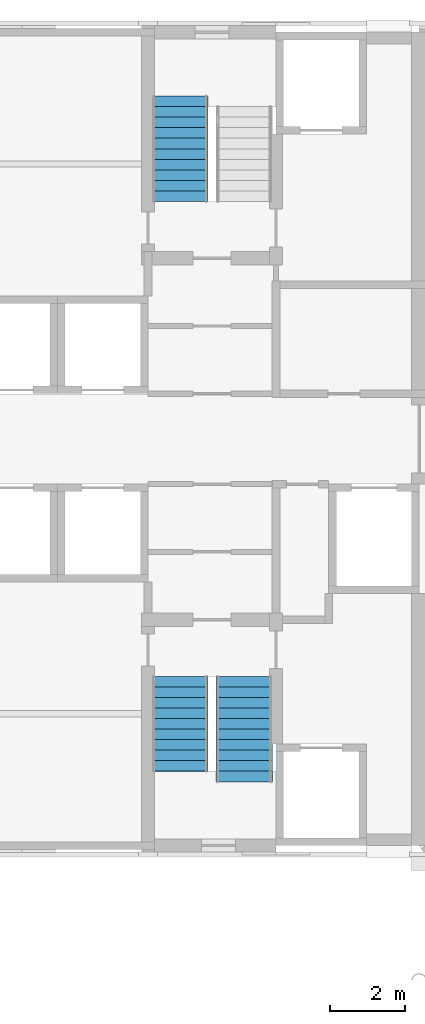
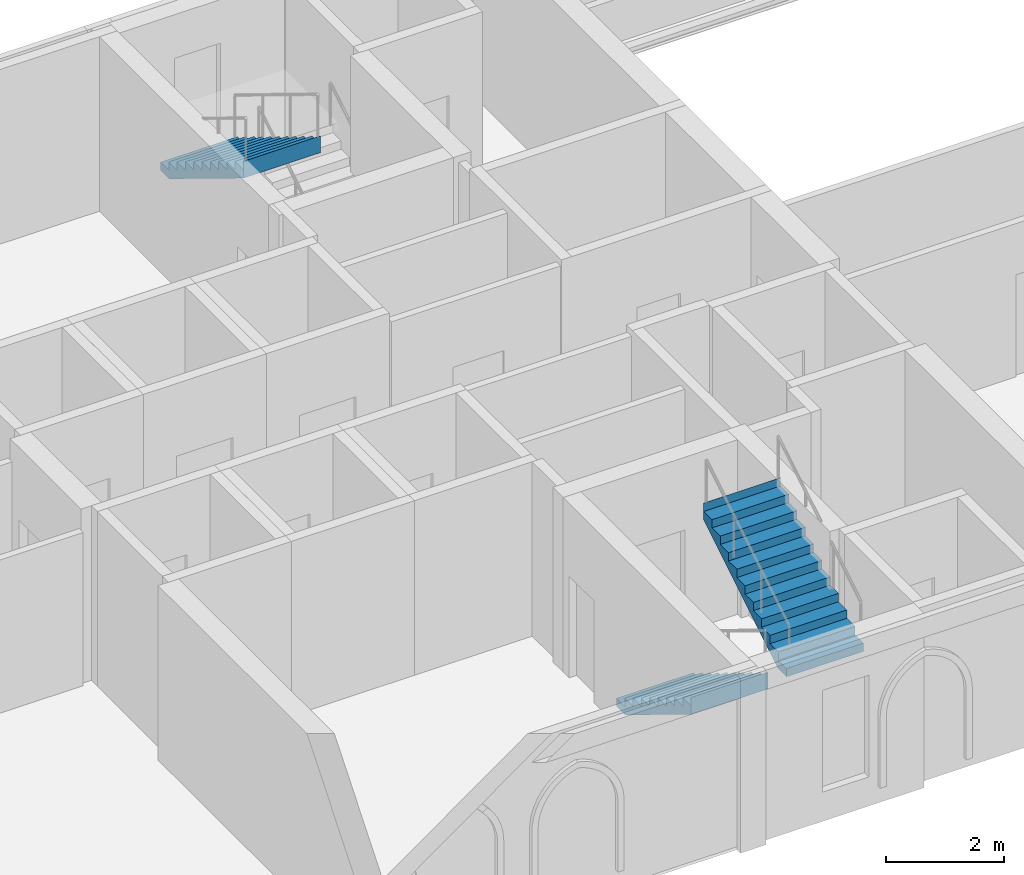
# One storey, part 67 of 120: 3 stair flights, 2 elements without a shape of their own.
"""IFC4 building model written with IfcOpenShell, lengths in metres."""

from ifc_helpers import new_model, si_unit, direction, frame, origin, place, context, subcontext, project, spatial, polyline, outline, extrude, material, type_object, element, aggregate, save


model = new_model("IFC4")

# Units and contexts
model_context = context("Model", 3, precision=1e-05, world=origin(), true_north=direction((0.0, 1.0)))
body_context = subcontext(model_context, "Body", "Model", "MODEL_VIEW")
ifc_project = project(units=[si_unit("LENGTHUNIT", "METRE"), si_unit("AREAUNIT", "SQUARE_METRE"), si_unit("VOLUMEUNIT", "CUBIC_METRE"), si_unit("PLANEANGLEUNIT", "RADIAN"), si_unit("MASSUNIT", "GRAM", prefix="KILO")], contexts=[model_context])

# Site, building, storey
site_placement = place(None, origin())
site = spatial("IfcSite", under=ifc_project, at=site_placement, CompositionType="ELEMENT")
building_placement = place(site_placement, origin())
building = spatial("IfcBuilding", under=site, at=building_placement, Name="Kupolbacken Congress Centre", CompositionType="ELEMENT")
storey_placement = place(building_placement, frame((0.0, 0.0, 21.60009765625)))
storey = spatial("IfcBuildingStorey", under=building, at=storey_placement, Name="L06", CompositionType="ELEMENT", Elevation=21.60009765625)

# Stair, stair flights
ifc_material_1 = material(Name="Steel S355", Category="steel")
stair_type = type_object("IfcStairType", Name="ST2 stair 1500", PredefinedType="TWO_STRAIGHT_RUN_STAIR", material=ifc_material_1)
stair_1_placement = place(storey_placement, origin())
stair_1 = element("IfcStair", 1, at=stair_1_placement, inside=storey, type_object=stair_type, Name="C/stair/TS1/L06", PredefinedType="NOTDEFINED")
ifc_material_2 = material(Name="Steel S355", Category="steel")
stair_flight_type_1 = type_object("IfcStairFlightType", Name="FL3 stair flight 1500 x 10 risers", PredefinedType="STRAIGHT", material=ifc_material_2)
stair_flight_1_placement = place(storey_placement, frame((101.64990234375, 126.89501953125, 0.0), z_axis=(0.0, 0.0, 1.0), x_axis=(0.0, -1.0, 0.0)))
stair_flight_1 = element("IfcStairFlight", 2, at=stair_flight_1_placement, type_object=stair_flight_type_1, Name="TS1 flight 1", NumberOfRisers=10, NumberOfTreads=9, PredefinedType="STRAIGHT", RiserHeight=0.171428571, TreadLength=0.28, context=body_context, shape_type="SweptSolid", body=[
    extrude(outline(polyline([(0.0, 0.0), (0.0, 0.0009765625), (0.0, 0.002197265625), (0.0, 0.003173828125), (0.0, 0.004150390625), (0.0, 0.00537109375), (0.0, 0.00634765625), (0.0, 0.007568359375), (0.0, 0.008544921875), (0.0, 0.009521484375), (0.0, 0.0107421875), (0.0, 0.01171875), (0.0, 0.0126953125), (0.0, 0.013916015625), (0.0, 0.014892578125), (0.0, 0.015869140625), (0.0, 0.01708984375), (0.0, 0.01806640625), (0.0, 0.019287109375), (0.0, 0.020263671875), (0.0, 0.021240234375), (0.0, 0.0224609375), (0.0, 0.0234375), (0.0, 0.0244140625), (0.0, 0.025634765625), (0.0, 0.026611328125), (0.0, 0.027587890625), (0.0, 0.02880859375), (0.0, 0.02978515625), (0.0, 0.03076171875), (0.0, 0.031982421875), (0.0, 0.032958984375), (0.0, 0.0341796875), (0.0, 0.03515625), (0.0, 0.0361328125), (0.0, 0.037353515625), (0.0, 0.038330078125), (0.0, 0.039306640625), (0.0, 0.04052734375), (0.0, 0.04150390625), (0.0, 0.04248046875), (0.0, 0.043701171875), (0.0, 0.044677734375), (0.0, 0.0458984375), (0.0, 0.046875), (0.0, 0.0478515625), (0.0, 0.049072265625), (0.0, 0.050048828125), (0.0, 0.051025390625), (0.0, 0.05224609375), (0.0, 0.05322265625), (0.0, 0.05419921875), (0.0, 0.055419921875), (0.0, 0.056396484375), (0.0, 0.0576171875), (0.0, 0.05859375), (0.0, 0.0595703125), (0.0, 0.060791015625), (0.0, 0.061767578125), (0.0, 0.062744140625), (0.0, 0.06396484375), (0.0, 0.06494140625), (0.0, 0.06591796875), (0.0, 0.067138671875), (0.0, 0.068115234375), (0.0, 0.069091796875), (0.0, 0.0703125), (0.0, 0.0712890625), (0.0, 0.072509765625), (0.0, 0.073486328125), (0.0, 0.074462890625), (0.0, 0.07568359375), (0.0, 0.07666015625), (0.0, 0.07763671875), (0.0, 0.078857421875), (0.0, 0.079833984375), (0.0, 0.080810546875), (0.0, 0.08203125), (0.0, 0.0830078125), (0.0, 0.084228515625), (0.0, 0.085205078125), (0.0, 0.086181640625), (0.0, 0.08740234375), (0.0, 0.08837890625), (0.0, 0.08935546875), (0.0, 0.090576171875), (0.0, 0.091552734375), (0.0, 0.092529296875), (0.0, 0.09375), (0.0, 0.0947265625), (0.0, 0.095947265625), (0.0, 0.096923828125), (0.0, 0.097900390625), (0.0, 0.09912109375), (0.0, 0.10009765625), (0.0, 0.10107421875), (0.0, 0.102294921875), (0.0, 0.103271484375), (0.0, 0.104248046875), (0.0, 0.10546875), (0.0, 0.1064453125), (0.0, 0.107421875), (0.0, 0.108642578125), (0.0, 0.109619140625), (0.0, 0.11083984375), (0.0, 0.11181640625), (0.0, 0.11279296875), (0.0, 0.114013671875), (0.0, 0.114990234375), (0.0, 0.115966796875), (0.0, 0.1171875), (0.0, 0.1181640625), (0.0, 0.119140625), (0.0, 0.120361328125), (0.0, 0.121337890625), (0.0, 0.12255859375), (0.0, 0.12353515625), (0.0, 0.12451171875), (0.0, 0.125732421875), (0.0, 0.126708984375), (0.0, 0.127685546875), (0.0, 0.12890625), (0.0, 0.1298828125), (0.0, 0.130859375), (0.0, 0.132080078125), (0.0, 0.133056640625), (0.0, 0.13427734375), (0.0, 0.13525390625), (0.0, 0.13623046875), (0.0, 0.137451171875), (0.0, 0.138427734375), (0.0, 0.139404296875), (0.0, 0.140625), (0.0, 0.1416015625), (0.0, 0.142578125), (0.0, 0.143798828125), (0.0, 0.144775390625), (0.0, 0.145751953125), (0.0, 0.14697265625), (0.0, 0.14794921875), (0.0, 0.149169921875), (0.0, 0.150146484375), (0.0, 0.151123046875), (0.0, 0.15234375), (0.0, 0.1533203125), (0.0, 0.154296875), (0.0, 0.155517578125), (0.0, 0.156494140625), (0.0, 0.157470703125), (0.0, 0.15869140625), (0.0, 0.15966796875), (0.0, 0.160888671875), (0.0, 0.161865234375), (0.0, 0.162841796875), (0.0, 0.1640625), (0.0, 0.1650390625), (0.0, 0.166015625), (0.0, 0.167236328125), (0.0, 0.168212890625), (0.0, 0.169189453125), (0.0, 0.17041015625), (0.0, 0.17138671875), (0.280029296875, 0.17138671875), (0.280029296875, 0.3427734375), (0.56005859375, 0.3427734375), (0.56005859375, 0.514404296875), (0.840087890625, 0.514404296875), (0.840087890625, 0.685791015625), (1.1201171875, 0.685791015625), (1.1201171875, 0.857177734375), (1.39990234375, 0.857177734375), (1.39990234375, 1.028564453125), (1.679931640625, 1.028564453125), (1.679931640625, 1.199951171875), (1.9599609375, 1.199951171875), (1.9599609375, 1.371337890625), (2.239990234375, 1.371337890625), (2.239990234375, 1.54296875), (2.52001953125, 1.54296875), (2.52001953125, 1.71435546875), (2.52197265625, 1.71435546875), (2.52197265625, 1.712158203125), (2.52197265625, 1.7099609375), (2.52197265625, 1.707763671875), (2.52197265625, 1.70556640625), (2.52197265625, 1.70361328125), (2.52197265625, 1.701416015625), (2.52197265625, 1.69921875), (2.52197265625, 1.697021484375), (2.52197265625, 1.69482421875), (2.52197265625, 1.692626953125), (2.52197265625, 1.690673828125), (2.52197265625, 1.6884765625), (2.52197265625, 1.686279296875), (2.52197265625, 1.68408203125), (2.52197265625, 1.681884765625), (2.52197265625, 1.6796875), (2.52197265625, 1.677734375), (2.52197265625, 1.675537109375), (2.52197265625, 1.67333984375), (2.52197265625, 1.671142578125), (2.52197265625, 1.6689453125), (2.52197265625, 1.666748046875), (2.52197265625, 1.664794921875), (2.52197265625, 1.66259765625), (2.52197265625, 1.660400390625), (2.52197265625, 1.658203125), (2.52197265625, 1.656005859375), (2.52197265625, 1.65380859375), (2.52197265625, 1.65185546875), (2.52197265625, 1.649658203125), (2.52197265625, 1.6474609375), (2.52197265625, 1.645263671875), (2.52197265625, 1.64306640625), (2.52197265625, 1.640869140625), (2.52197265625, 1.638916015625), (2.52197265625, 1.63671875), (2.52197265625, 1.634521484375), (2.52197265625, 1.63232421875), (2.52197265625, 1.630126953125), (2.52197265625, 1.6279296875), (2.52197265625, 1.6259765625), (2.52197265625, 1.623779296875), (2.52197265625, 1.62158203125), (2.52197265625, 1.619384765625), (2.52197265625, 1.6171875), (2.52197265625, 1.614990234375), (2.52197265625, 1.613037109375), (2.52197265625, 1.61083984375), (2.52197265625, 1.608642578125), (2.52197265625, 1.6064453125), (2.52197265625, 1.604248046875), (2.52197265625, 1.60205078125), (2.52197265625, 1.60009765625), (2.52197265625, 1.597900390625), (2.52197265625, 1.595703125), (2.52197265625, 1.593505859375), (2.52197265625, 1.59130859375), (2.52197265625, 1.589111328125), (2.52197265625, 1.587158203125), (2.52197265625, 1.5849609375), (2.52197265625, 1.582763671875), (2.52197265625, 1.58056640625), (2.52197265625, 1.578369140625), (2.52197265625, 1.576171875), (2.52197265625, 1.57421875), (2.52197265625, 1.572021484375), (2.52197265625, 1.56982421875), (2.52197265625, 1.567626953125), (2.52197265625, 1.5654296875), (2.52197265625, 1.563232421875), (2.52197265625, 1.561279296875), (2.52197265625, 1.55908203125), (2.52197265625, 1.556884765625), (2.52197265625, 1.5546875), (2.52197265625, 1.552490234375), (2.52197265625, 1.55029296875), (2.52197265625, 1.54833984375), (2.52197265625, 1.546142578125), (2.52197265625, 1.5439453125), (2.52197265625, 1.541748046875), (2.52197265625, 1.53955078125), (2.52197265625, 1.537353515625), (2.52197265625, 1.535400390625), (2.52197265625, 1.533203125), (2.52197265625, 1.531005859375), (2.52197265625, 1.52880859375), (2.52197265625, 1.526611328125), (2.52197265625, 1.5244140625), (2.52197265625, 1.5224609375), (2.52197265625, 1.520263671875), (2.52197265625, 1.51806640625), (2.52197265625, 1.515869140625), (2.52197265625, 1.513671875), (2.52197265625, 1.511474609375), (2.52197265625, 1.509521484375), (2.52197265625, 1.50732421875), (2.52197265625, 1.505126953125), (2.52197265625, 1.5029296875), (2.52197265625, 1.500732421875), (2.52197265625, 1.49853515625), (2.52197265625, 1.49658203125), (2.52197265625, 1.494384765625), (2.52197265625, 1.4921875), (2.52197265625, 1.489990234375), (2.52197265625, 1.48779296875), (2.52197265625, 1.485595703125), (2.52197265625, 1.483642578125), (2.52197265625, 1.4814453125), (2.52197265625, 1.479248046875), (2.52197265625, 1.47705078125), (2.52197265625, 1.474853515625), (2.52197265625, 1.47265625), (2.52197265625, 1.470703125), (2.52197265625, 1.468505859375), (2.52197265625, 1.46630859375), (2.52197265625, 1.464111328125), (2.52197265625, 1.4619140625), (2.52197265625, 1.459716796875), (2.52197265625, 1.457763671875), (2.52197265625, 1.45556640625), (2.52197265625, 1.453369140625), (2.52197265625, 1.451171875), (2.52197265625, 1.448974609375), (2.52197265625, 1.44677734375), (2.52197265625, 1.44482421875), (2.52197265625, 1.442626953125), (2.52197265625, 1.4404296875), (2.52197265625, 1.438232421875), (2.52197265625, 1.43603515625), (2.52197265625, 1.433837890625), (2.52197265625, 1.431884765625), (2.52197265625, 1.4296875), (2.52197265625, 1.427490234375), (2.52197265625, 1.42529296875), (2.52197265625, 1.423095703125), (2.52197265625, 1.4208984375), (2.52197265625, 1.4189453125), (2.52197265625, 1.416748046875), (2.52197265625, 1.41455078125), (2.52197265625, 1.412353515625), (2.52197265625, 1.41015625), (2.52197265625, 1.407958984375), (2.52197265625, 1.406005859375), (2.52197265625, 1.40380859375), (2.52197265625, 1.401611328125), (2.52197265625, 1.3994140625), (2.52197265625, 1.397216796875), (2.52197265625, 1.39501953125), (2.52197265625, 1.39306640625), (2.52197265625, 1.390869140625), (2.52197265625, 1.388671875), (2.52197265625, 1.386474609375), (2.52197265625, 1.38427734375), (2.52197265625, 1.382080078125), (2.52197265625, 1.380126953125), (2.52197265625, 1.3779296875), (2.52197265625, 1.375732421875), (2.52197265625, 1.37353515625), (2.52197265625, 1.371337890625), (2.52197265625, 1.369140625), (2.52197265625, 1.3671875), (0.2890625, 0.0), (0.0, 0.0)])), frame((0.0, 0.75, 0.0), z_axis=(0.0, -1.0, 0.0), x_axis=(1.0, 0.0, 0.0)), (0.0, 0.0, 1.0), 1.5),
])
ifc_material_3 = material(Name="Steel S355", Category="steel")
stair_flight_type_2 = type_object("IfcStairFlightType", Name="FL4 stair flight 1500 x 11 risers", PredefinedType="STRAIGHT", material=ifc_material_3)
stair_flight_2_placement = place(storey_placement, frame((103.35009765625, 124.094970703125, 1.714111328125), z_axis=(0.0, 0.0, 1.0), x_axis=(0.0, 1.0, 0.0)))
stair_flight_2 = element("IfcStairFlight", 3, at=stair_flight_2_placement, type_object=stair_flight_type_2, Name="TS1 flight 2", NumberOfRisers=11, NumberOfTreads=10, PredefinedType="STRAIGHT", RiserHeight=0.171428571, TreadLength=0.28, context=body_context, shape_type="SweptSolid", body=[
    extrude(outline(polyline([(0.0, 0.0), (0.0, 0.0009765625), (0.0, 0.002197265625), (0.0, 0.003173828125), (0.0, 0.004150390625), (0.0, 0.00537109375), (0.0, 0.00634765625), (0.0, 0.007568359375), (0.0, 0.008544921875), (0.0, 0.009521484375), (0.0, 0.0107421875), (0.0, 0.01171875), (0.0, 0.0126953125), (0.0, 0.013916015625), (0.0, 0.014892578125), (0.0, 0.015869140625), (0.0, 0.01708984375), (0.0, 0.01806640625), (0.0, 0.019287109375), (0.0, 0.020263671875), (0.0, 0.021240234375), (0.0, 0.0224609375), (0.0, 0.0234375), (0.0, 0.0244140625), (0.0, 0.025634765625), (0.0, 0.026611328125), (0.0, 0.027587890625), (0.0, 0.02880859375), (0.0, 0.02978515625), (0.0, 0.03076171875), (0.0, 0.031982421875), (0.0, 0.032958984375), (0.0, 0.0341796875), (0.0, 0.03515625), (0.0, 0.0361328125), (0.0, 0.037353515625), (0.0, 0.038330078125), (0.0, 0.039306640625), (0.0, 0.04052734375), (0.0, 0.04150390625), (0.0, 0.04248046875), (0.0, 0.043701171875), (0.0, 0.044677734375), (0.0, 0.0458984375), (0.0, 0.046875), (0.0, 0.0478515625), (0.0, 0.049072265625), (0.0, 0.050048828125), (0.0, 0.051025390625), (0.0, 0.05224609375), (0.0, 0.05322265625), (0.0, 0.05419921875), (0.0, 0.055419921875), (0.0, 0.056396484375), (0.0, 0.0576171875), (0.0, 0.05859375), (0.0, 0.0595703125), (0.0, 0.060791015625), (0.0, 0.061767578125), (0.0, 0.062744140625), (0.0, 0.06396484375), (0.0, 0.06494140625), (0.0, 0.06591796875), (0.0, 0.067138671875), (0.0, 0.068115234375), (0.0, 0.069091796875), (0.0, 0.0703125), (0.0, 0.0712890625), (0.0, 0.072509765625), (0.0, 0.073486328125), (0.0, 0.074462890625), (0.0, 0.07568359375), (0.0, 0.07666015625), (0.0, 0.07763671875), (0.0, 0.078857421875), (0.0, 0.079833984375), (0.0, 0.080810546875), (0.0, 0.08203125), (0.0, 0.0830078125), (0.0, 0.084228515625), (0.0, 0.085205078125), (0.0, 0.086181640625), (0.0, 0.08740234375), (0.0, 0.08837890625), (0.0, 0.08935546875), (0.0, 0.090576171875), (0.0, 0.091552734375), (0.0, 0.092529296875), (0.0, 0.09375), (0.0, 0.0947265625), (0.0, 0.095947265625), (0.0, 0.096923828125), (0.0, 0.097900390625), (0.0, 0.09912109375), (0.0, 0.10009765625), (0.0, 0.10107421875), (0.0, 0.102294921875), (0.0, 0.103271484375), (0.0, 0.104248046875), (0.0, 0.10546875), (0.0, 0.1064453125), (0.0, 0.107421875), (0.0, 0.108642578125), (0.0, 0.109619140625), (0.0, 0.11083984375), (0.0, 0.11181640625), (0.0, 0.11279296875), (0.0, 0.114013671875), (0.0, 0.114990234375), (0.0, 0.115966796875), (0.0, 0.1171875), (0.0, 0.1181640625), (0.0, 0.119140625), (0.0, 0.120361328125), (0.0, 0.121337890625), (0.0, 0.12255859375), (0.0, 0.12353515625), (0.0, 0.12451171875), (0.0, 0.125732421875), (0.0, 0.126708984375), (0.0, 0.127685546875), (0.0, 0.12890625), (0.0, 0.1298828125), (0.0, 0.130859375), (0.0, 0.132080078125), (0.0, 0.133056640625), (0.0, 0.13427734375), (0.0, 0.13525390625), (0.0, 0.13623046875), (0.0, 0.137451171875), (0.0, 0.138427734375), (0.0, 0.139404296875), (0.0, 0.140625), (0.0, 0.1416015625), (0.0, 0.142578125), (0.0, 0.143798828125), (0.0, 0.144775390625), (0.0, 0.145751953125), (0.0, 0.14697265625), (0.0, 0.14794921875), (0.0, 0.149169921875), (0.0, 0.150146484375), (0.0, 0.151123046875), (0.0, 0.15234375), (0.0, 0.1533203125), (0.0, 0.154296875), (0.0, 0.155517578125), (0.0, 0.156494140625), (0.0, 0.157470703125), (0.0, 0.15869140625), (0.0, 0.15966796875), (0.0, 0.160888671875), (0.0, 0.161865234375), (0.0, 0.162841796875), (0.0, 0.1640625), (0.0, 0.1650390625), (0.0, 0.166015625), (0.0, 0.167236328125), (0.0, 0.168212890625), (0.0, 0.169189453125), (0.0, 0.17041015625), (0.0, 0.17138671875), (0.280029296875, 0.17138671875), (0.280029296875, 0.3427734375), (0.56005859375, 0.3427734375), (0.56005859375, 0.514404296875), (0.840087890625, 0.514404296875), (0.840087890625, 0.685791015625), (1.1201171875, 0.685791015625), (1.1201171875, 0.857177734375), (1.39990234375, 0.857177734375), (1.39990234375, 1.028564453125), (1.679931640625, 1.028564453125), (1.679931640625, 1.199951171875), (1.9599609375, 1.199951171875), (1.9599609375, 1.371337890625), (2.239990234375, 1.371337890625), (2.239990234375, 1.54296875), (2.52001953125, 1.54296875), (2.52001953125, 1.71435546875), (2.800048828125, 1.71435546875), (2.800048828125, 1.8857421875), (2.802001953125, 1.8857421875), (2.802001953125, 1.883544921875), (2.802001953125, 1.88134765625), (2.802001953125, 1.879150390625), (2.802001953125, 1.877197265625), (2.802001953125, 1.875), (2.802001953125, 1.872802734375), (2.802001953125, 1.87060546875), (2.802001953125, 1.868408203125), (2.802001953125, 1.8662109375), (2.802001953125, 1.8642578125), (2.802001953125, 1.862060546875), (2.802001953125, 1.85986328125), (2.802001953125, 1.857666015625), (2.802001953125, 1.85546875), (2.802001953125, 1.853271484375), (2.802001953125, 1.851318359375), (2.802001953125, 1.84912109375), (2.802001953125, 1.846923828125), (2.802001953125, 1.8447265625), (2.802001953125, 1.842529296875), (2.802001953125, 1.84033203125), (2.802001953125, 1.83837890625), (2.802001953125, 1.836181640625), (2.802001953125, 1.833984375), (2.802001953125, 1.831787109375), (2.802001953125, 1.82958984375), (2.802001953125, 1.827392578125), (2.802001953125, 1.825439453125), (2.802001953125, 1.8232421875), (2.802001953125, 1.821044921875), (2.802001953125, 1.81884765625), (2.802001953125, 1.816650390625), (2.802001953125, 1.814453125), (2.802001953125, 1.8125), (2.802001953125, 1.810302734375), (2.802001953125, 1.80810546875), (2.802001953125, 1.805908203125), (2.802001953125, 1.8037109375), (2.802001953125, 1.801513671875), (2.802001953125, 1.799560546875), (2.802001953125, 1.79736328125), (2.802001953125, 1.795166015625), (2.802001953125, 1.79296875), (2.802001953125, 1.790771484375), (2.802001953125, 1.78857421875), (2.802001953125, 1.78662109375), (2.802001953125, 1.784423828125), (2.802001953125, 1.7822265625), (2.802001953125, 1.780029296875), (2.802001953125, 1.77783203125), (2.802001953125, 1.775634765625), (2.802001953125, 1.773681640625), (2.802001953125, 1.771484375), (2.802001953125, 1.769287109375), (2.802001953125, 1.76708984375), (2.802001953125, 1.764892578125), (2.802001953125, 1.7626953125), (2.802001953125, 1.7607421875), (2.802001953125, 1.758544921875), (2.802001953125, 1.75634765625), (2.802001953125, 1.754150390625), (2.802001953125, 1.751953125), (2.802001953125, 1.749755859375), (2.802001953125, 1.747802734375), (2.802001953125, 1.74560546875), (2.802001953125, 1.743408203125), (2.802001953125, 1.7412109375), (2.802001953125, 1.739013671875), (2.802001953125, 1.73681640625), (2.802001953125, 1.73486328125), (2.802001953125, 1.732666015625), (2.802001953125, 1.73046875), (2.802001953125, 1.728271484375), (2.802001953125, 1.72607421875), (2.802001953125, 1.723876953125), (2.802001953125, 1.721923828125), (2.802001953125, 1.7197265625), (2.802001953125, 1.717529296875), (2.802001953125, 1.71533203125), (2.802001953125, 1.713134765625), (2.802001953125, 1.7109375), (2.802001953125, 1.708984375), (2.802001953125, 1.706787109375), (2.802001953125, 1.70458984375), (2.802001953125, 1.702392578125), (2.802001953125, 1.7001953125), (2.802001953125, 1.697998046875), (2.802001953125, 1.696044921875), (2.802001953125, 1.69384765625), (2.802001953125, 1.691650390625), (2.802001953125, 1.689453125), (2.802001953125, 1.687255859375), (2.802001953125, 1.68505859375), (2.802001953125, 1.68310546875), (2.802001953125, 1.680908203125), (2.802001953125, 1.6787109375), (2.802001953125, 1.676513671875), (2.802001953125, 1.67431640625), (2.802001953125, 1.672119140625), (2.802001953125, 1.670166015625), (2.802001953125, 1.66796875), (2.802001953125, 1.665771484375), (2.802001953125, 1.66357421875), (2.802001953125, 1.661376953125), (2.802001953125, 1.6591796875), (2.802001953125, 1.6572265625), (2.802001953125, 1.655029296875), (2.802001953125, 1.65283203125), (2.802001953125, 1.650634765625), (2.802001953125, 1.6484375), (2.802001953125, 1.646240234375), (2.802001953125, 1.644287109375), (2.802001953125, 1.64208984375), (2.802001953125, 1.639892578125), (2.802001953125, 1.6376953125), (2.802001953125, 1.635498046875), (2.802001953125, 1.63330078125), (2.802001953125, 1.63134765625), (2.802001953125, 1.629150390625), (2.802001953125, 1.626953125), (2.802001953125, 1.624755859375), (2.802001953125, 1.62255859375), (2.802001953125, 1.620361328125), (2.802001953125, 1.618408203125), (2.802001953125, 1.6162109375), (2.802001953125, 1.614013671875), (2.802001953125, 1.61181640625), (2.802001953125, 1.609619140625), (2.802001953125, 1.607421875), (2.802001953125, 1.60546875), (2.802001953125, 1.603271484375), (2.802001953125, 1.60107421875), (2.802001953125, 1.598876953125), (2.802001953125, 1.5966796875), (2.802001953125, 1.594482421875), (2.802001953125, 1.592529296875), (2.802001953125, 1.59033203125), (2.802001953125, 1.588134765625), (2.802001953125, 1.5859375), (2.802001953125, 1.583740234375), (2.802001953125, 1.58154296875), (2.802001953125, 1.57958984375), (2.802001953125, 1.577392578125), (2.802001953125, 1.5751953125), (2.802001953125, 1.572998046875), (2.802001953125, 1.57080078125), (2.802001953125, 1.568603515625), (2.802001953125, 1.566650390625), (2.802001953125, 1.564453125), (2.802001953125, 1.562255859375), (2.802001953125, 1.56005859375), (2.802001953125, 1.557861328125), (2.802001953125, 1.5556640625), (2.802001953125, 1.5537109375), (2.802001953125, 1.551513671875), (2.802001953125, 1.54931640625), (2.802001953125, 1.547119140625), (2.802001953125, 1.544921875), (2.802001953125, 1.542724609375), (2.802001953125, 1.540771484375), (2.802001953125, 1.53857421875), (0.2890625, 0.0), (0.0, 0.0)])), frame((0.0, 0.75, 0.0), z_axis=(0.0, -1.0, 0.0), x_axis=(1.0, 0.0, 0.0)), (0.0, 0.0, 1.0), 1.5),
])
aggregate(stair_1, [stair_flight_1, stair_flight_2])

# Stair, stair flight
stair_2_placement = place(storey_placement, origin())
stair_2 = element("IfcStair", 4, at=stair_2_placement, inside=storey, type_object=stair_type, Name="C/stair/TS2/L06", PredefinedType="NOTDEFINED")
stair_flight_3_placement = place(storey_placement, frame((101.64990234375, 142.304931640625, 1.714111328125), z_axis=(0.0, 0.0, 1.0), x_axis=(0.0, -1.0, 0.0)))
stair_flight_3 = element("IfcStairFlight", 5, at=stair_flight_3_placement, type_object=stair_flight_type_2, Name="TS2 flight 2", NumberOfRisers=11, NumberOfTreads=10, PredefinedType="STRAIGHT", RiserHeight=0.171428571, TreadLength=0.28, context=body_context, shape_type="SweptSolid", body=[
    extrude(outline(polyline([(0.0, 0.0), (0.0, 0.0009765625), (0.0, 0.002197265625), (0.0, 0.003173828125), (0.0, 0.004150390625), (0.0, 0.00537109375), (0.0, 0.00634765625), (0.0, 0.007568359375), (0.0, 0.008544921875), (0.0, 0.009521484375), (0.0, 0.0107421875), (0.0, 0.01171875), (0.0, 0.0126953125), (0.0, 0.013916015625), (0.0, 0.014892578125), (0.0, 0.015869140625), (0.0, 0.01708984375), (0.0, 0.01806640625), (0.0, 0.019287109375), (0.0, 0.020263671875), (0.0, 0.021240234375), (0.0, 0.0224609375), (0.0, 0.0234375), (0.0, 0.0244140625), (0.0, 0.025634765625), (0.0, 0.026611328125), (0.0, 0.027587890625), (0.0, 0.02880859375), (0.0, 0.02978515625), (0.0, 0.03076171875), (0.0, 0.031982421875), (0.0, 0.032958984375), (0.0, 0.0341796875), (0.0, 0.03515625), (0.0, 0.0361328125), (0.0, 0.037353515625), (0.0, 0.038330078125), (0.0, 0.039306640625), (0.0, 0.04052734375), (0.0, 0.04150390625), (0.0, 0.04248046875), (0.0, 0.043701171875), (0.0, 0.044677734375), (0.0, 0.0458984375), (0.0, 0.046875), (0.0, 0.0478515625), (0.0, 0.049072265625), (0.0, 0.050048828125), (0.0, 0.051025390625), (0.0, 0.05224609375), (0.0, 0.05322265625), (0.0, 0.05419921875), (0.0, 0.055419921875), (0.0, 0.056396484375), (0.0, 0.0576171875), (0.0, 0.05859375), (0.0, 0.0595703125), (0.0, 0.060791015625), (0.0, 0.061767578125), (0.0, 0.062744140625), (0.0, 0.06396484375), (0.0, 0.06494140625), (0.0, 0.06591796875), (0.0, 0.067138671875), (0.0, 0.068115234375), (0.0, 0.069091796875), (0.0, 0.0703125), (0.0, 0.0712890625), (0.0, 0.072509765625), (0.0, 0.073486328125), (0.0, 0.074462890625), (0.0, 0.07568359375), (0.0, 0.07666015625), (0.0, 0.07763671875), (0.0, 0.078857421875), (0.0, 0.079833984375), (0.0, 0.080810546875), (0.0, 0.08203125), (0.0, 0.0830078125), (0.0, 0.084228515625), (0.0, 0.085205078125), (0.0, 0.086181640625), (0.0, 0.08740234375), (0.0, 0.08837890625), (0.0, 0.08935546875), (0.0, 0.090576171875), (0.0, 0.091552734375), (0.0, 0.092529296875), (0.0, 0.09375), (0.0, 0.0947265625), (0.0, 0.095947265625), (0.0, 0.096923828125), (0.0, 0.097900390625), (0.0, 0.09912109375), (0.0, 0.10009765625), (0.0, 0.10107421875), (0.0, 0.102294921875), (0.0, 0.103271484375), (0.0, 0.104248046875), (0.0, 0.10546875), (0.0, 0.1064453125), (0.0, 0.107421875), (0.0, 0.108642578125), (0.0, 0.109619140625), (0.0, 0.11083984375), (0.0, 0.11181640625), (0.0, 0.11279296875), (0.0, 0.114013671875), (0.0, 0.114990234375), (0.0, 0.115966796875), (0.0, 0.1171875), (0.0, 0.1181640625), (0.0, 0.119140625), (0.0, 0.120361328125), (0.0, 0.121337890625), (0.0, 0.12255859375), (0.0, 0.12353515625), (0.0, 0.12451171875), (0.0, 0.125732421875), (0.0, 0.126708984375), (0.0, 0.127685546875), (0.0, 0.12890625), (0.0, 0.1298828125), (0.0, 0.130859375), (0.0, 0.132080078125), (0.0, 0.133056640625), (0.0, 0.13427734375), (0.0, 0.13525390625), (0.0, 0.13623046875), (0.0, 0.137451171875), (0.0, 0.138427734375), (0.0, 0.139404296875), (0.0, 0.140625), (0.0, 0.1416015625), (0.0, 0.142578125), (0.0, 0.143798828125), (0.0, 0.144775390625), (0.0, 0.145751953125), (0.0, 0.14697265625), (0.0, 0.14794921875), (0.0, 0.149169921875), (0.0, 0.150146484375), (0.0, 0.151123046875), (0.0, 0.15234375), (0.0, 0.1533203125), (0.0, 0.154296875), (0.0, 0.155517578125), (0.0, 0.156494140625), (0.0, 0.157470703125), (0.0, 0.15869140625), (0.0, 0.15966796875), (0.0, 0.160888671875), (0.0, 0.161865234375), (0.0, 0.162841796875), (0.0, 0.1640625), (0.0, 0.1650390625), (0.0, 0.166015625), (0.0, 0.167236328125), (0.0, 0.168212890625), (0.0, 0.169189453125), (0.0, 0.17041015625), (0.0, 0.17138671875), (0.280029296875, 0.17138671875), (0.280029296875, 0.3427734375), (0.56005859375, 0.3427734375), (0.56005859375, 0.514404296875), (0.840087890625, 0.514404296875), (0.840087890625, 0.685791015625), (1.1201171875, 0.685791015625), (1.1201171875, 0.857177734375), (1.39990234375, 0.857177734375), (1.39990234375, 1.028564453125), (1.679931640625, 1.028564453125), (1.679931640625, 1.199951171875), (1.9599609375, 1.199951171875), (1.9599609375, 1.371337890625), (2.239990234375, 1.371337890625), (2.239990234375, 1.54296875), (2.52001953125, 1.54296875), (2.52001953125, 1.71435546875), (2.800048828125, 1.71435546875), (2.800048828125, 1.8857421875), (2.802001953125, 1.8857421875), (2.802001953125, 1.883544921875), (2.802001953125, 1.88134765625), (2.802001953125, 1.879150390625), (2.802001953125, 1.877197265625), (2.802001953125, 1.875), (2.802001953125, 1.872802734375), (2.802001953125, 1.87060546875), (2.802001953125, 1.868408203125), (2.802001953125, 1.8662109375), (2.802001953125, 1.8642578125), (2.802001953125, 1.862060546875), (2.802001953125, 1.85986328125), (2.802001953125, 1.857666015625), (2.802001953125, 1.85546875), (2.802001953125, 1.853271484375), (2.802001953125, 1.851318359375), (2.802001953125, 1.84912109375), (2.802001953125, 1.846923828125), (2.802001953125, 1.8447265625), (2.802001953125, 1.842529296875), (2.802001953125, 1.84033203125), (2.802001953125, 1.83837890625), (2.802001953125, 1.836181640625), (2.802001953125, 1.833984375), (2.802001953125, 1.831787109375), (2.802001953125, 1.82958984375), (2.802001953125, 1.827392578125), (2.802001953125, 1.825439453125), (2.802001953125, 1.8232421875), (2.802001953125, 1.821044921875), (2.802001953125, 1.81884765625), (2.802001953125, 1.816650390625), (2.802001953125, 1.814453125), (2.802001953125, 1.8125), (2.802001953125, 1.810302734375), (2.802001953125, 1.80810546875), (2.802001953125, 1.805908203125), (2.802001953125, 1.8037109375), (2.802001953125, 1.801513671875), (2.802001953125, 1.799560546875), (2.802001953125, 1.79736328125), (2.802001953125, 1.795166015625), (2.802001953125, 1.79296875), (2.802001953125, 1.790771484375), (2.802001953125, 1.78857421875), (2.802001953125, 1.78662109375), (2.802001953125, 1.784423828125), (2.802001953125, 1.7822265625), (2.802001953125, 1.780029296875), (2.802001953125, 1.77783203125), (2.802001953125, 1.775634765625), (2.802001953125, 1.773681640625), (2.802001953125, 1.771484375), (2.802001953125, 1.769287109375), (2.802001953125, 1.76708984375), (2.802001953125, 1.764892578125), (2.802001953125, 1.7626953125), (2.802001953125, 1.7607421875), (2.802001953125, 1.758544921875), (2.802001953125, 1.75634765625), (2.802001953125, 1.754150390625), (2.802001953125, 1.751953125), (2.802001953125, 1.749755859375), (2.802001953125, 1.747802734375), (2.802001953125, 1.74560546875), (2.802001953125, 1.743408203125), (2.802001953125, 1.7412109375), (2.802001953125, 1.739013671875), (2.802001953125, 1.73681640625), (2.802001953125, 1.73486328125), (2.802001953125, 1.732666015625), (2.802001953125, 1.73046875), (2.802001953125, 1.728271484375), (2.802001953125, 1.72607421875), (2.802001953125, 1.723876953125), (2.802001953125, 1.721923828125), (2.802001953125, 1.7197265625), (2.802001953125, 1.717529296875), (2.802001953125, 1.71533203125), (2.802001953125, 1.713134765625), (2.802001953125, 1.7109375), (2.802001953125, 1.708984375), (2.802001953125, 1.706787109375), (2.802001953125, 1.70458984375), (2.802001953125, 1.702392578125), (2.802001953125, 1.7001953125), (2.802001953125, 1.697998046875), (2.802001953125, 1.696044921875), (2.802001953125, 1.69384765625), (2.802001953125, 1.691650390625), (2.802001953125, 1.689453125), (2.802001953125, 1.687255859375), (2.802001953125, 1.68505859375), (2.802001953125, 1.68310546875), (2.802001953125, 1.680908203125), (2.802001953125, 1.6787109375), (2.802001953125, 1.676513671875), (2.802001953125, 1.67431640625), (2.802001953125, 1.672119140625), (2.802001953125, 1.670166015625), (2.802001953125, 1.66796875), (2.802001953125, 1.665771484375), (2.802001953125, 1.66357421875), (2.802001953125, 1.661376953125), (2.802001953125, 1.6591796875), (2.802001953125, 1.6572265625), (2.802001953125, 1.655029296875), (2.802001953125, 1.65283203125), (2.802001953125, 1.650634765625), (2.802001953125, 1.6484375), (2.802001953125, 1.646240234375), (2.802001953125, 1.644287109375), (2.802001953125, 1.64208984375), (2.802001953125, 1.639892578125), (2.802001953125, 1.6376953125), (2.802001953125, 1.635498046875), (2.802001953125, 1.63330078125), (2.802001953125, 1.63134765625), (2.802001953125, 1.629150390625), (2.802001953125, 1.626953125), (2.802001953125, 1.624755859375), (2.802001953125, 1.62255859375), (2.802001953125, 1.620361328125), (2.802001953125, 1.618408203125), (2.802001953125, 1.6162109375), (2.802001953125, 1.614013671875), (2.802001953125, 1.61181640625), (2.802001953125, 1.609619140625), (2.802001953125, 1.607421875), (2.802001953125, 1.60546875), (2.802001953125, 1.603271484375), (2.802001953125, 1.60107421875), (2.802001953125, 1.598876953125), (2.802001953125, 1.5966796875), (2.802001953125, 1.594482421875), (2.802001953125, 1.592529296875), (2.802001953125, 1.59033203125), (2.802001953125, 1.588134765625), (2.802001953125, 1.5859375), (2.802001953125, 1.583740234375), (2.802001953125, 1.58154296875), (2.802001953125, 1.57958984375), (2.802001953125, 1.577392578125), (2.802001953125, 1.5751953125), (2.802001953125, 1.572998046875), (2.802001953125, 1.57080078125), (2.802001953125, 1.568603515625), (2.802001953125, 1.566650390625), (2.802001953125, 1.564453125), (2.802001953125, 1.562255859375), (2.802001953125, 1.56005859375), (2.802001953125, 1.557861328125), (2.802001953125, 1.5556640625), (2.802001953125, 1.5537109375), (2.802001953125, 1.551513671875), (2.802001953125, 1.54931640625), (2.802001953125, 1.547119140625), (2.802001953125, 1.544921875), (2.802001953125, 1.542724609375), (2.802001953125, 1.540771484375), (2.802001953125, 1.53857421875), (0.2890625, 0.0), (0.0, 0.0)])), frame((0.0, 0.75, 0.0), z_axis=(0.0, -1.0, 0.0), x_axis=(1.0, 0.0, 0.0)), (0.0, 0.0, 1.0), 1.5),
])
aggregate(stair_2, [stair_flight_3])

save(model, "model.ifc")
